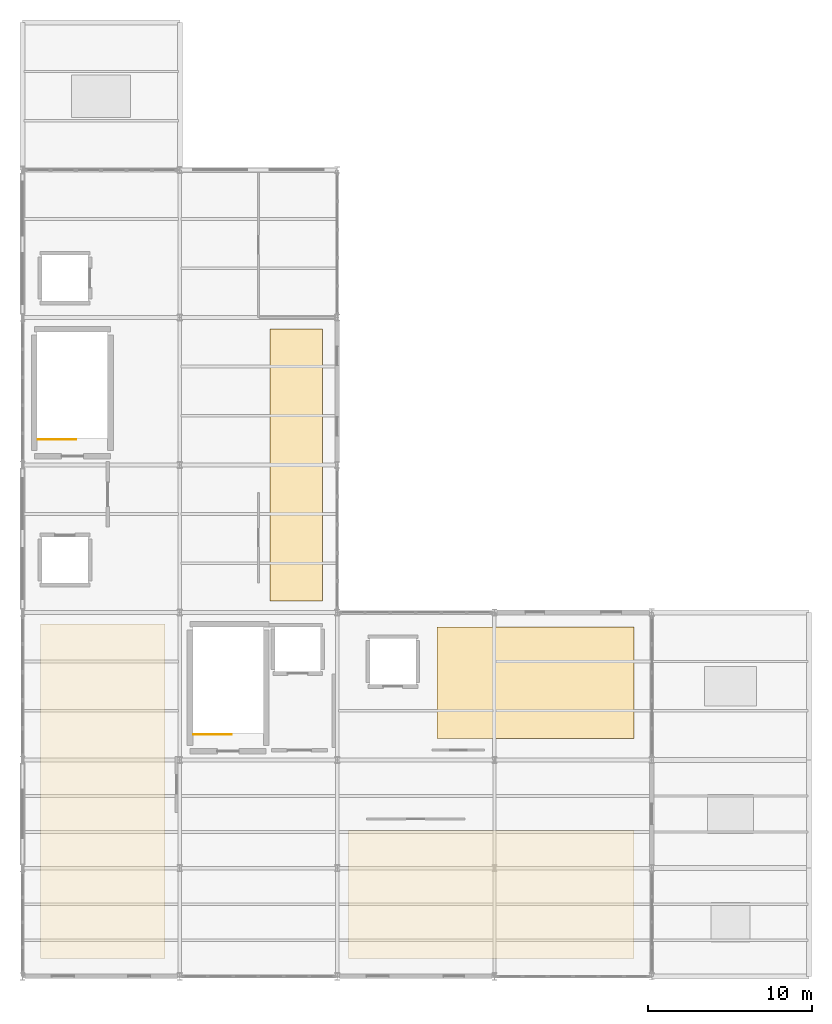
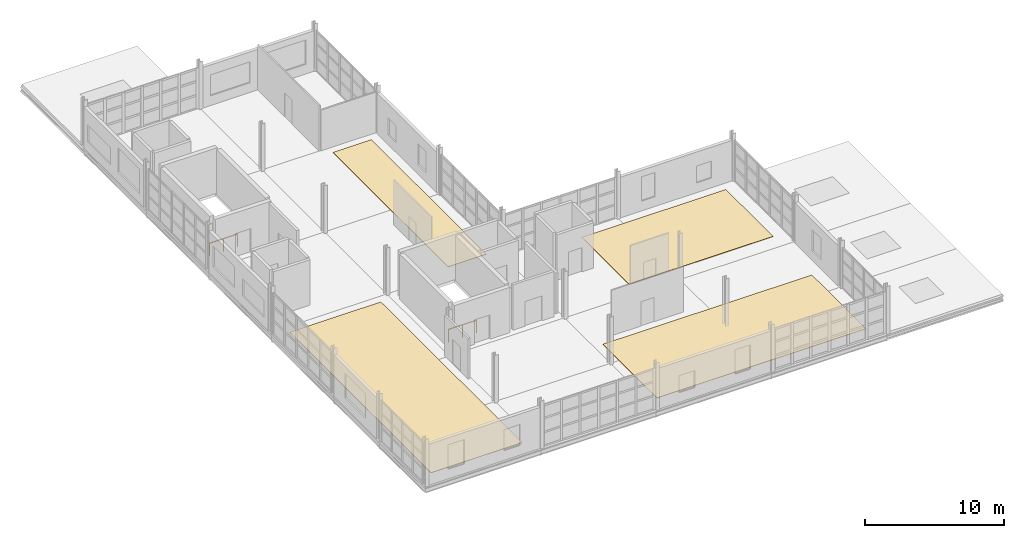
# One storey, part 15 of 15: 4 coverings, 2 railings.
"""IFC4 building model written with IfcOpenShell, lengths in metres."""

from ifc_helpers import new_model, si_unit, direction, frame, origin, origin_2d, place, context, subcontext, project, spatial, polyline, circle, outline, extrude, material, layer, layer_set, type_object, element, save


model = new_model("IFC4")

# Units and contexts
model_context = context("Model", 3, precision=1e-05, world=origin(), true_north=direction((0.0, 1.0)))
body_context = subcontext(model_context, "Body", "Model", "MODEL_VIEW")
ifc_project = project(units=[si_unit("LENGTHUNIT", "METRE"), si_unit("AREAUNIT", "SQUARE_METRE"), si_unit("VOLUMEUNIT", "CUBIC_METRE"), si_unit("PLANEANGLEUNIT", "RADIAN"), si_unit("MASSUNIT", "GRAM", prefix="KILO")], contexts=[model_context])

# Site, building, storey
site_placement = place(None, origin())
site = spatial("IfcSite", under=ifc_project, at=site_placement, CompositionType="ELEMENT")
building_placement = place(site_placement, origin())
building = spatial("IfcBuilding", under=site, at=building_placement, Name="Zarnetskaya Central Station", CompositionType="ELEMENT")
storey_placement = place(building_placement, frame((0.0, 0.0, 22.800048828125)))
storey = spatial("IfcBuildingStorey", under=building, at=storey_placement, Name="L05", CompositionType="ELEMENT", Elevation=22.800048828125)

# Coverings
ifc_material_1 = material(Name="Granite stone flooring", Category="masonry")
ifc_layer = layer(ifc_material_1, 0.0400390625, Name="Granite stone flooring", Category="masonry")
ifc_layer_set = layer_set([ifc_layer], Name="Granite stone flooring")
covering_type = type_object("IfcCoveringType", Name="COV-GRAN-FLR", PredefinedType="FLOORING", material=ifc_layer_set)
covering_1_placement = place(storey_placement, origin())
element("IfcCovering", 1, at=covering_1_placement, inside=storey, type_object=covering_type, Name="Granite terrazzo floor finish L05-701", PredefinedType="FLOORING", context=body_context, shape_type="SweptSolid", body=[
    extrude(outline(polyline([(25.300048828125, 14.5), (37.300048828125, 14.5), (37.300048828125, 21.300048828125), (25.300048828125, 21.300048828125), (25.300048828125, 14.5)])), origin(), (0.0, 0.0, 1.0), 0.0400390625),
])
covering_2_placement = place(storey_placement, origin())
element("IfcCovering", 2, at=covering_2_placement, inside=storey, type_object=covering_type, Name="Granite terrazzo floor finish L05-702", PredefinedType="FLOORING", context=body_context, shape_type="SweptSolid", body=[
    extrude(outline(polyline([(19.89990234375, 1.10009765625), (37.300048828125, 1.10009765625), (37.300048828125, 8.89990234375), (19.89990234375, 8.89990234375), (19.89990234375, 1.10009765625)])), origin(), (0.0, 0.0, 1.0), 0.0400390625),
])
covering_3_placement = place(storey_placement, origin())
element("IfcCovering", 3, at=covering_3_placement, inside=storey, type_object=covering_type, Name="Granite terrazzo floor finish L05-703", PredefinedType="FLOORING", context=body_context, shape_type="SweptSolid", body=[
    extrude(outline(polyline([(1.10009765625, 1.10009765625), (8.699951171875, 1.10009765625), (8.699951171875, 21.5), (1.10009765625, 21.5), (1.10009765625, 1.10009765625)])), origin(), (0.0, 0.0, 1.0), 0.0400390625),
])
covering_4_placement = place(storey_placement, origin())
element("IfcCovering", 4, at=covering_4_placement, inside=storey, type_object=covering_type, Name="Granite terrazzo floor finish L05-705", PredefinedType="FLOORING", context=body_context, shape_type="SweptSolid", body=[
    extrude(outline(polyline([(15.10009765625, 22.89990234375), (18.300048828125, 22.89990234375), (18.300048828125, 39.5), (15.10009765625, 39.5), (15.10009765625, 22.89990234375)])), origin(), (0.0, 0.0, 1.0), 0.0400390625),
])

# Railings
ifc_material_2 = material(Name="Steel S355", Category="steel")
railing_type = type_object("IfcRailingType", Name="RAIL-STAIR-GRD", PredefinedType="BALUSTRADE", material=ifc_material_2)
for number, where, name in (
    (5, (10.43994140625, 14.760009765625, 0.0), "Stair ST-C1 L05 floor well guard"),
    (6, (0.93994140625, 32.760009765625, 0.0), "Stair ST-C2 L05 floor well guard"),
):
    element("IfcRailing", number, at=place(storey_placement, frame(where)), inside=storey, type_object=railing_type, Name=name, PredefinedType="BALUSTRADE", context=body_context, shape_type="SweptSolid", body=[
        extrude(circle(Radius=0.02392578125, at=origin_2d()), frame((0.0, 0.0, 1.09619140625), z_axis=(1.0, 0.0, 0.0), x_axis=(0.0, 1.0, 0.0)), (0.0, 0.0, 1.0), 2.320068359375),
        extrude(circle(Radius=0.02099609375, at=origin_2d()), origin(), (0.0, 0.0, 1.0), 1.072021484375),
        extrude(circle(Radius=0.02099609375, at=origin_2d()), frame((1.16015625, 0.0, 0.0)), (0.0, 0.0, 1.0), 1.072021484375),
        extrude(circle(Radius=0.02099609375, at=origin_2d()), frame((2.320068359375, 0.0, 0.0)), (0.0, 0.0, 1.0), 1.072021484375),
    ])

save(model, "model.ifc")
